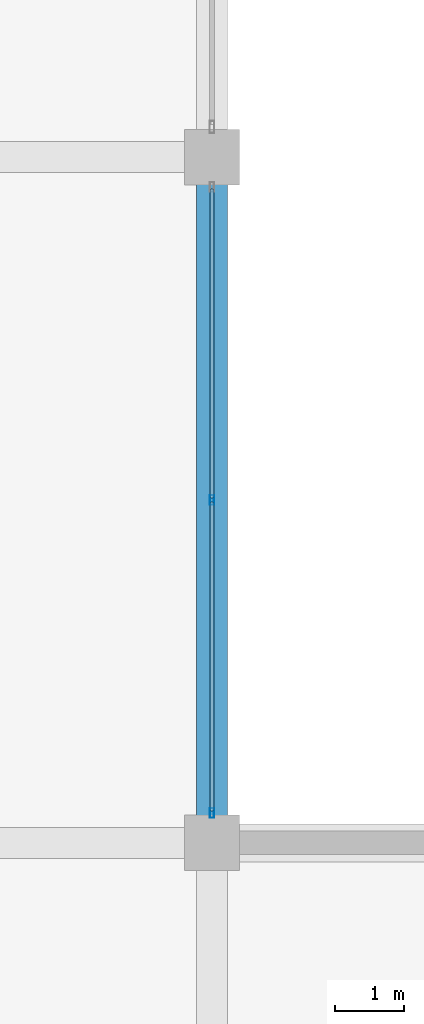
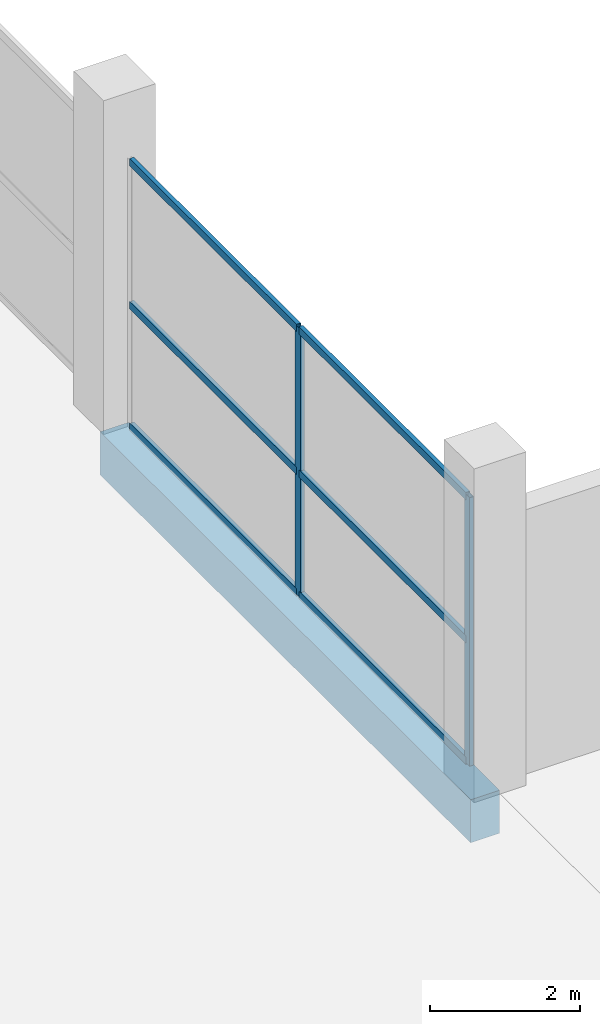
# One storey, part 8 of 72: 8 members, 1 beam, 1 element without a shape of its own.
"""IFC4 building model written with IfcOpenShell, lengths in metres."""

from ifc_helpers import new_model, si_unit, direction, frame, origin, origin_2d, place, context, subcontext, project, spatial, rectangle, hollow_rectangle, extrude, material, layer, layer_set, material_profile, profile_set, type_object, element, aggregate, save


model = new_model("IFC4")

# Units and contexts
model_context = context("Model", 3, precision=1e-05, world=origin(), true_north=direction((0.0, 1.0)))
body_context = subcontext(model_context, "Body", "Model", "MODEL_VIEW")
ifc_project = project(units=[si_unit("LENGTHUNIT", "METRE"), si_unit("AREAUNIT", "SQUARE_METRE"), si_unit("VOLUMEUNIT", "CUBIC_METRE"), si_unit("PLANEANGLEUNIT", "RADIAN"), si_unit("MASSUNIT", "GRAM", prefix="KILO")], contexts=[model_context])

# Site, building, storey
site_placement = place(None, origin())
site = spatial("IfcSite", under=ifc_project, at=site_placement, CompositionType="ELEMENT")
building_placement = place(site_placement, origin())
building = spatial("IfcBuilding", under=site, at=building_placement, Name="Sillaruma Civic Art Gallery", CompositionType="ELEMENT")
storey_placement = place(building_placement, frame((0.0, 0.0, 10.8798828125)))
storey = spatial("IfcBuildingStorey", under=building, at=storey_placement, Name="L02", CompositionType="ELEMENT", Elevation=10.8798828125)

# Beam
ifc_material_1 = material(Name="Concrete H35 (35 MPa)", Category="concrete")
ifc_material_profile_1 = material_profile(ifc_material_1, rectangle(XDim=0.449951171875, YDim=0.699951171875, at=origin_2d()), Name="RCB450x700")
ifc_profile_set_1 = profile_set([ifc_material_profile_1], Name="Concrete H35 (35 MPa)")
beam_type = type_object("IfcBeamType", Name="BM-SPANDREL-RCB450x700", PredefinedType="SPANDREL", material=ifc_profile_set_1)
beam_placement = place(storey_placement, frame((114.39990234375, 39.60009765625, -0.60986328125), z_axis=(0.0, 1.0, 0.0), x_axis=(-1.0, 0.0, 0.0)))
element("IfcBeam", 1, at=beam_placement, inside=storey, type_object=beam_type, Name="Beam BS-03 (L01:N:5-6)", PredefinedType="SPANDREL", context=body_context, shape_type="SweptSolid", body=[
    extrude(rectangle(XDim=0.449951171875, YDim=0.699951171875, at=origin_2d()), origin(), (0.0, 0.0, 1.0), 9.89990234375),
])

# Curtain wall, members
ifc_material_2 = material(Name="Thermally Broken Extruded Aluminium 6063-T6", Category="aluminium")
ifc_layer = layer(ifc_material_2, 0.139892578125, Name="Thermally Broken Extruded Aluminium 6063-T6")
ifc_layer_set = layer_set([ifc_layer], Name="Thermally Broken Extruded Aluminium 6063-T6")
curtain_wall_type = type_object("IfcCurtainWallType", Name="CW-UNI-15", PredefinedType="NOTDEFINED", material=ifc_layer_set)
curtain_wall_placement = place(storey_placement, origin())
curtain_wall = element("IfcCurtainWall", 2, at=curtain_wall_placement, inside=storey, type_object=curtain_wall_type, Name="Unitised Curtain Wall CW-15 (CW-L02-SPE-3)", PredefinedType="NOTDEFINED")
ifc_material_profile_2 = material_profile(ifc_material_2, hollow_rectangle(XDim=0.06005859375, YDim=0.139892578125, WallThickness=0.00341796875, at=origin_2d()), Name="CWM60x140")
ifc_profile_set_2 = profile_set([ifc_material_profile_2], Name="Thermally Broken Extruded Aluminium 6063-T6")
member_type_1 = type_object("IfcMemberType", Name="MEM-MUL-CWM60x140", PredefinedType="MULLION", material=ifc_profile_set_2)
member_1_placement = place(storey_placement, frame((114.39990234375, 40.030029296875, 0.0), z_axis=(0.0, 0.0, 1.0), x_axis=(-1.0, 0.0, 0.0)))
member_1 = element("IfcMember", 3, at=member_1_placement, type_object=member_type_1, Name="CW-15 mullion 1", PredefinedType="MULLION", context=body_context, shape_type="SweptSolid", body=[
    extrude(hollow_rectangle(XDim=0.06005859375, YDim=0.139892578125, WallThickness=0.00341796875, at=origin_2d()), origin(), (0.0, 0.0, 1.0), 4.380126953125),
])
member_2_placement = place(storey_placement, frame((114.39990234375, 44.550048828125, 0.0), z_axis=(0.0, 0.0, 1.0), x_axis=(-1.0, 0.0, 0.0)))
member_2 = element("IfcMember", 4, at=member_2_placement, type_object=member_type_1, Name="CW-15 mullion 2", PredefinedType="MULLION", context=body_context, shape_type="SweptSolid", body=[
    extrude(hollow_rectangle(XDim=0.06005859375, YDim=0.139892578125, WallThickness=0.00341796875, at=origin_2d()), origin(), (0.0, 0.0, 1.0), 4.380126953125),
])
ifc_material_profile_3 = material_profile(ifc_material_2, hollow_rectangle(XDim=0.06494140625, YDim=0.1201171875, WallThickness=0.00341796875, at=origin_2d()), Name="CWT65x120")
ifc_profile_set_3 = profile_set([ifc_material_profile_3], Name="Thermally Broken Extruded Aluminium 6063-T6")
member_type_2 = type_object("IfcMemberType", Name="MEM-TRN-CWT65x120", PredefinedType="USERDEFINED", material=ifc_profile_set_3)
member_3_placement = place(storey_placement, frame((114.39990234375, 40.06005859375, 0.03271484375), z_axis=(0.0, 1.0, 0.0), x_axis=(-1.0, 0.0, 0.0)))
member_3 = element("IfcMember", 5, at=member_3_placement, type_object=member_type_2, Name="CW-15 transom 1.1", ObjectType="TRANSOM", PredefinedType="USERDEFINED", context=body_context, shape_type="SweptSolid", body=[
    extrude(hollow_rectangle(XDim=0.06494140625, YDim=0.1201171875, WallThickness=0.00341796875, at=origin_2d()), origin(), (0.0, 0.0, 1.0), 4.4599609375),
])
member_4_placement = place(storey_placement, frame((114.39990234375, 40.06005859375, 2.014892578125), z_axis=(0.0, 1.0, 0.0), x_axis=(-1.0, 0.0, 0.0)))
member_4 = element("IfcMember", 6, at=member_4_placement, type_object=member_type_2, Name="CW-15 transom 1.2", ObjectType="TRANSOM", PredefinedType="USERDEFINED", context=body_context, shape_type="SweptSolid", body=[
    extrude(hollow_rectangle(XDim=0.06494140625, YDim=0.1201171875, WallThickness=0.00341796875, at=origin_2d()), origin(), (0.0, 0.0, 1.0), 4.4599609375),
])
member_5_placement = place(storey_placement, frame((114.39990234375, 40.06005859375, 4.34765625), z_axis=(0.0, 1.0, 0.0), x_axis=(-1.0, 0.0, 0.0)))
member_5 = element("IfcMember", 7, at=member_5_placement, type_object=member_type_2, Name="CW-15 transom 1.3", ObjectType="TRANSOM", PredefinedType="USERDEFINED", context=body_context, shape_type="SweptSolid", body=[
    extrude(hollow_rectangle(XDim=0.06494140625, YDim=0.1201171875, WallThickness=0.00341796875, at=origin_2d()), origin(), (0.0, 0.0, 1.0), 4.4599609375),
])
member_6_placement = place(storey_placement, frame((114.39990234375, 44.580078125, 0.03271484375), z_axis=(0.0, 1.0, 0.0), x_axis=(-1.0, 0.0, 0.0)))
member_6 = element("IfcMember", 8, at=member_6_placement, type_object=member_type_2, Name="CW-15 transom 2.1", ObjectType="TRANSOM", PredefinedType="USERDEFINED", context=body_context, shape_type="SweptSolid", body=[
    extrude(hollow_rectangle(XDim=0.06494140625, YDim=0.1201171875, WallThickness=0.00341796875, at=origin_2d()), origin(), (0.0, 0.0, 1.0), 4.4599609375),
])
member_7_placement = place(storey_placement, frame((114.39990234375, 44.580078125, 2.014892578125), z_axis=(0.0, 1.0, 0.0), x_axis=(-1.0, 0.0, 0.0)))
member_7 = element("IfcMember", 9, at=member_7_placement, type_object=member_type_2, Name="CW-15 transom 2.2", ObjectType="TRANSOM", PredefinedType="USERDEFINED", context=body_context, shape_type="SweptSolid", body=[
    extrude(hollow_rectangle(XDim=0.06494140625, YDim=0.1201171875, WallThickness=0.00341796875, at=origin_2d()), origin(), (0.0, 0.0, 1.0), 4.4599609375),
])
member_8_placement = place(storey_placement, frame((114.39990234375, 44.580078125, 4.34765625), z_axis=(0.0, 1.0, 0.0), x_axis=(-1.0, 0.0, 0.0)))
member_8 = element("IfcMember", 10, at=member_8_placement, type_object=member_type_2, Name="CW-15 transom 2.3", ObjectType="TRANSOM", PredefinedType="USERDEFINED", context=body_context, shape_type="SweptSolid", body=[
    extrude(hollow_rectangle(XDim=0.06494140625, YDim=0.1201171875, WallThickness=0.00341796875, at=origin_2d()), origin(), (0.0, 0.0, 1.0), 4.4599609375),
])
aggregate(curtain_wall, [member_1, member_2, member_3, member_4, member_5, member_6, member_7, member_8])

save(model, "model.ifc")
